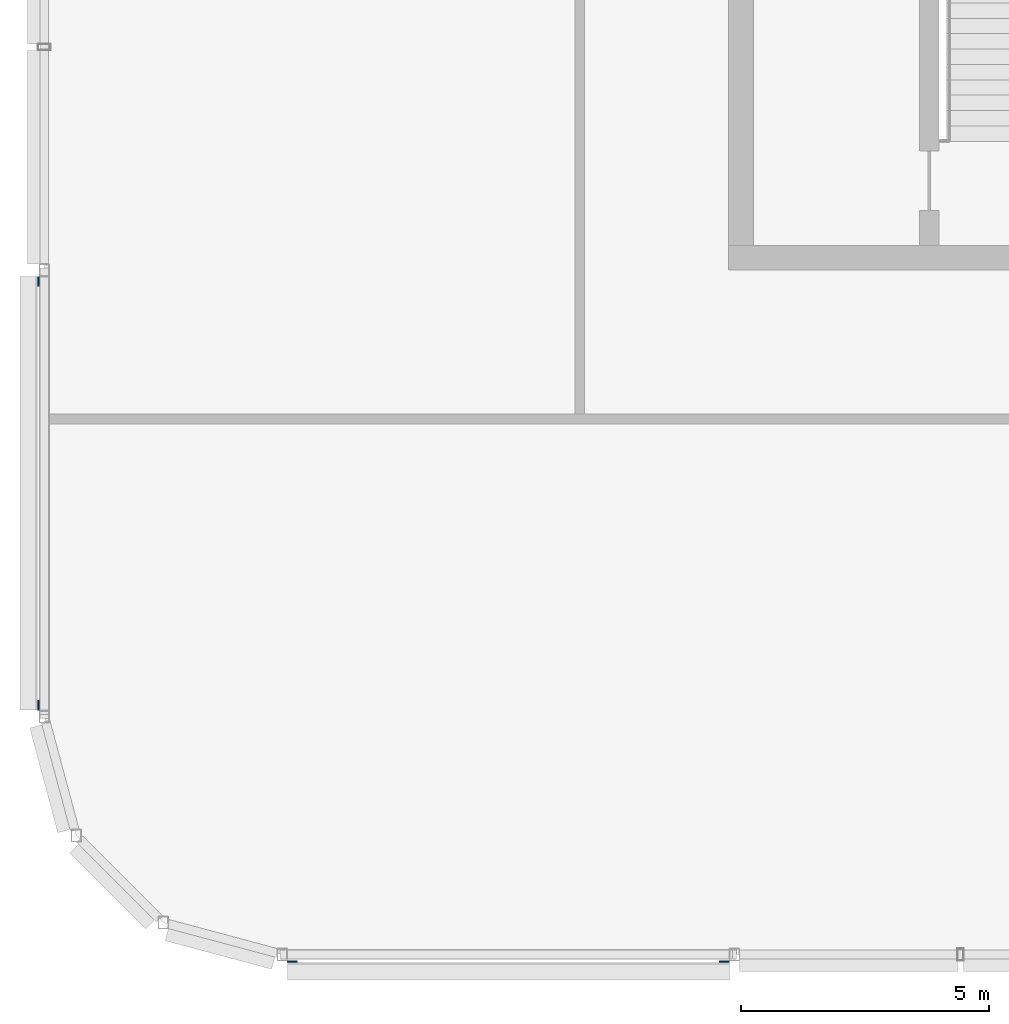
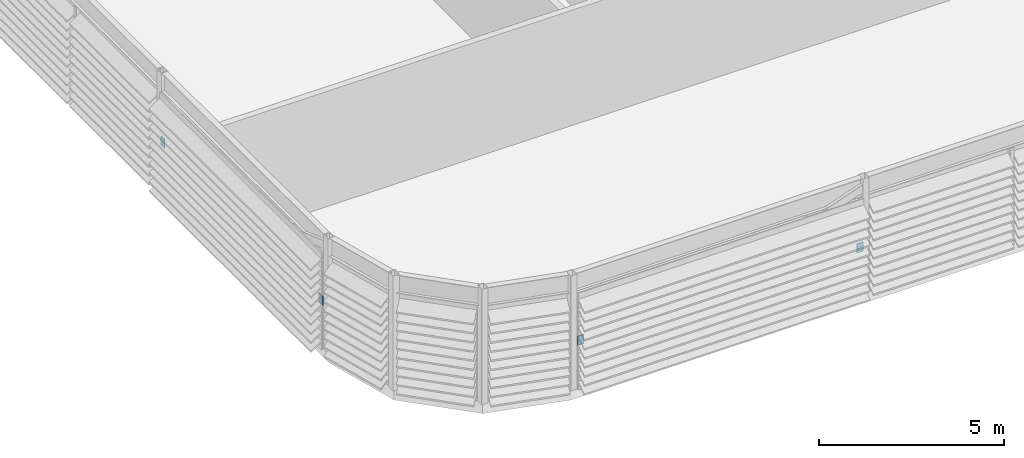
# One storey, part 18 of 28: 4 discrete accessories.
"""IFC4 building model written with IfcOpenShell, lengths in metres."""

from ifc_helpers import new_model, si_unit, direction, frame, origin, origin_2d, place, context, subcontext, project, spatial, rectangle, extrude, material, type_object, element, save


model = new_model("IFC4")

# Units and contexts
model_context = context("Model", 3, precision=1e-05, world=origin(), true_north=direction((0.0, 1.0)))
body_context = subcontext(model_context, "Body", "Model", "MODEL_VIEW")
ifc_project = project(units=[si_unit("LENGTHUNIT", "METRE"), si_unit("AREAUNIT", "SQUARE_METRE"), si_unit("VOLUMEUNIT", "CUBIC_METRE"), si_unit("PLANEANGLEUNIT", "RADIAN"), si_unit("MASSUNIT", "GRAM", prefix="KILO")], contexts=[model_context])

# Site, building, storey
site_placement = place(None, origin())
site = spatial("IfcSite", under=ifc_project, at=site_placement, CompositionType="ELEMENT")
building_placement = place(site_placement, origin())
building = spatial("IfcBuilding", under=site, at=building_placement, Name="Madar Terraces", CompositionType="ELEMENT")
storey_placement = place(building_placement, frame((0.0, 0.0, 305.89990234375)))
storey = spatial("IfcBuildingStorey", under=building, at=storey_placement, Name="L79", CompositionType="ELEMENT", Elevation=305.89990234375)

# Discrete accessories
ifc_material = material(Name="Steel, galvanised", Category="steel")
discrete_accessory_type = type_object("IfcDiscreteAccessoryType", Name="Louvre bank bracket", PredefinedType="BRACKET", material=ifc_material)
for number, where, z_axis, x_axis, name in (
    (1, (6.20166015625, 1.05810546875, 1.44921875), (0.0, 0.0, 1.0), (1.0, 0.0, 0.0), "Louvre bank bracket"),
    (2, (14.91845703125, 1.05810546875, 1.44921875), (0.0, 0.0, 1.0), (1.0, 0.0, 0.0), "Louvre bank bracket"),
    (3, (1.08349609375, 14.77294921875, 1.44921875), (0.0, 0.0, 1.0), (0.0, -1.0, 0.0), "Louvre bank bracket"),
    (4, (1.08349609375, 6.22705078125, 1.44921875), (0.0, 0.0, 1.0), (0.0, -1.0, 0.0), "Louvre bank bracket"),
):
    element("IfcDiscreteAccessory", number, at=place(storey_placement, frame(where, z_axis=z_axis, x_axis=x_axis)), inside=storey, type_object=discrete_accessory_type, Name=name, PredefinedType="BRACKET", context=body_context, shape_type="SweptSolid", body=[
        extrude(rectangle(XDim=0.199951171875, YDim=0.030029296875, at=origin_2d()), origin(), (0.0, 0.0, 1.0), 0.300048828125),
    ])

save(model, "model.ifc")
